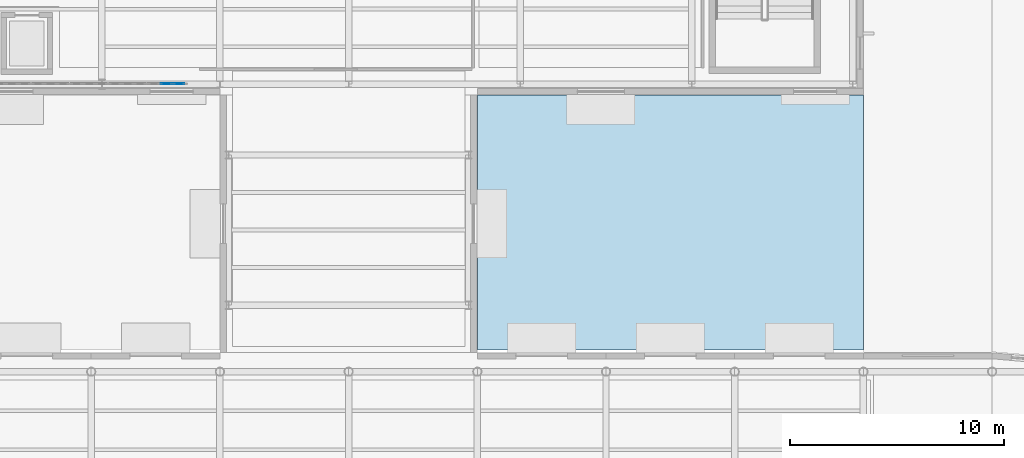
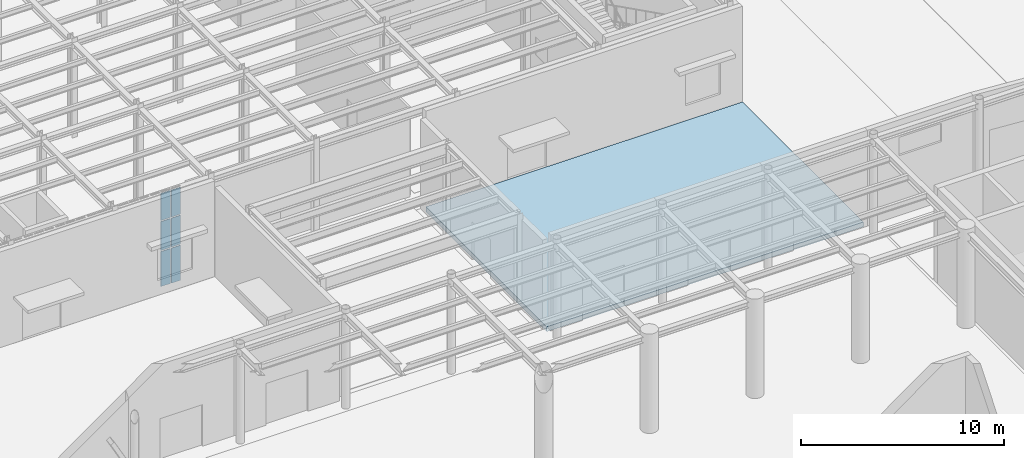
# One storey, part 76 of 118: 6 plates, 1 slab, 1 element without a shape of its own.
"""IFC4 building model written with IfcOpenShell, lengths in metres."""

from ifc_helpers import new_model, si_unit, direction, frame, origin, origin_2d, place, context, subcontext, project, spatial, polyline, rectangle, outline, extrude, material, layer, layer_set, type_object, element, aggregate, save


model = new_model("IFC4")

# Units and contexts
model_context = context("Model", 3, precision=1e-05, world=origin(), true_north=direction((0.0, 1.0)))
body_context = subcontext(model_context, "Body", "Model", "MODEL_VIEW")
ifc_project = project(units=[si_unit("LENGTHUNIT", "METRE"), si_unit("AREAUNIT", "SQUARE_METRE"), si_unit("VOLUMEUNIT", "CUBIC_METRE"), si_unit("PLANEANGLEUNIT", "RADIAN"), si_unit("MASSUNIT", "GRAM", prefix="KILO")], contexts=[model_context])

# Site, building, storey
site_placement = place(None, origin())
site = spatial("IfcSite", under=ifc_project, at=site_placement, CompositionType="ELEMENT")
building_placement = place(site_placement, origin())
building = spatial("IfcBuilding", under=site, at=building_placement, Name="Kolvaren Corner Interchange", CompositionType="ELEMENT")
storey_placement = place(building_placement, origin())
storey = spatial("IfcBuildingStorey", under=building, at=storey_placement, Name="L01", CompositionType="ELEMENT", Elevation=0.0)

# Curtain wall, plates
ifc_material_1 = material(Name="Unitised Aluminium and Solar-Control Glass Curtain Wall", Category="aluminium")
curtain_wall_type = type_object("IfcCurtainWallType", Name="CW-V3-CYCLE", PredefinedType="NOTDEFINED", material=ifc_material_1)
curtain_wall_placement = place(storey_placement, origin())
curtain_wall = element("IfcCurtainWall", 1, at=curtain_wall_placement, inside=storey, type_object=curtain_wall_type, Name="Cycle Showcase Ground Curtain Wall Bay 08", PredefinedType="NOTDEFINED")
ifc_material_2 = material(Name="Low-E Solar-Control Laminated Glass", Category="glass")
ifc_layer_1 = layer(ifc_material_2, 0.035888671875)
ifc_layer_set_1 = layer_set([ifc_layer_1], Name="Low-E Solar-Control Laminated Glass")
plate_type = type_object("IfcPlateType", Name="PLT-CW-GL32", PredefinedType="CURTAIN_PANEL", material=ifc_layer_set_1)
plate_1_placement = place(storey_placement, frame((81.5, 84.52001953125, 0.06494140625), z_axis=(0.0, 0.0, 1.0), x_axis=(1.0, 0.0, 0.0)))
plate_1 = element("IfcPlate", 2, at=plate_1_placement, type_object=plate_type, Name="CW-113 panel 2.1", PredefinedType="CURTAIN_PANEL", context=body_context, shape_type="SweptSolid", body=[
    extrude(rectangle(XDim=0.534912109375, YDim=0.035888671875, at=origin_2d()), origin(), (0.0, 0.0, 1.0), 2.1025390625),
])
plate_2_placement = place(storey_placement, frame((81.5, 84.52001953125, 2.232421875), z_axis=(0.0, 0.0, 1.0), x_axis=(1.0, 0.0, 0.0)))
plate_2 = element("IfcPlate", 3, at=plate_2_placement, type_object=plate_type, Name="CW-113 panel 2.2", PredefinedType="CURTAIN_PANEL", context=body_context, shape_type="SweptSolid", body=[
    extrude(rectangle(XDim=0.534912109375, YDim=0.035888671875, at=origin_2d()), origin(), (0.0, 0.0, 1.0), 1.735107421875),
])
plate_3_placement = place(storey_placement, frame((81.5, 84.52001953125, 4.032470703125), z_axis=(0.0, 0.0, 1.0), x_axis=(1.0, 0.0, 0.0)))
plate_3 = element("IfcPlate", 4, at=plate_3_placement, type_object=plate_type, Name="CW-113 panel 2.3", PredefinedType="CURTAIN_PANEL", context=body_context, shape_type="SweptSolid", body=[
    extrude(rectangle(XDim=0.534912109375, YDim=0.035888671875, at=origin_2d()), origin(), (0.0, 0.0, 1.0), 1.62255859375),
])
plate_4_placement = place(storey_placement, frame((82.083740234375, 84.52001953125, 0.06494140625), z_axis=(0.0, 0.0, 1.0), x_axis=(1.0, 0.0, 0.0)))
plate_4 = element("IfcPlate", 5, at=plate_4_placement, type_object=plate_type, Name="CW-113 panel 3.1", PredefinedType="CURTAIN_PANEL", context=body_context, shape_type="SweptSolid", body=[
    extrude(rectangle(XDim=0.50244140625, YDim=0.035888671875, at=origin_2d()), origin(), (0.0, 0.0, 1.0), 2.1025390625),
])
plate_5_placement = place(storey_placement, frame((82.083740234375, 84.52001953125, 2.232421875), z_axis=(0.0, 0.0, 1.0), x_axis=(1.0, 0.0, 0.0)))
plate_5 = element("IfcPlate", 6, at=plate_5_placement, type_object=plate_type, Name="CW-113 panel 3.2", PredefinedType="CURTAIN_PANEL", context=body_context, shape_type="SweptSolid", body=[
    extrude(rectangle(XDim=0.50244140625, YDim=0.035888671875, at=origin_2d()), origin(), (0.0, 0.0, 1.0), 1.735107421875),
])
plate_6_placement = place(storey_placement, frame((82.083740234375, 84.52001953125, 4.032470703125), z_axis=(0.0, 0.0, 1.0), x_axis=(1.0, 0.0, 0.0)))
plate_6 = element("IfcPlate", 7, at=plate_6_placement, type_object=plate_type, Name="CW-113 panel 3.3", PredefinedType="CURTAIN_PANEL", context=body_context, shape_type="SweptSolid", body=[
    extrude(rectangle(XDim=0.50244140625, YDim=0.035888671875, at=origin_2d()), origin(), (0.0, 0.0, 1.0), 1.62255859375),
])
aggregate(curtain_wall, [plate_1, plate_2, plate_3, plate_4, plate_5, plate_6])

# Slab
ifc_material_3 = material(Name="Basalt Paving Concrete C35/45", Category="masonry")
ifc_layer_2 = layer(ifc_material_3, 0.2900390625)
ifc_layer_set_2 = layer_set([ifc_layer_2], Name="Basalt Paving Concrete C35/45")
slab_type = type_object("IfcSlabType", Name="SL-PAV-290", PredefinedType="USERDEFINED", material=ifc_layer_set_2)
slab_placement = place(storey_placement, frame((0.0, 0.0, -0.2900390625)))
element("IfcSlab", 8, at=slab_placement, inside=storey, type_object=slab_type, Name="Level 01 North Monsoon Retention Court Paving Slab Part 1", ObjectType="PAVING", PredefinedType="USERDEFINED", context=body_context, shape_type="SweptSolid", body=[
    extrude(outline(polyline([(96.0, 72.10009765625), (114.0, 72.10009765625), (114.0, 84.0), (96.0, 84.0), (96.0, 72.10009765625)])), origin(), (0.0, 0.0, 1.0), 0.2900390625),
])

save(model, "model.ifc")
